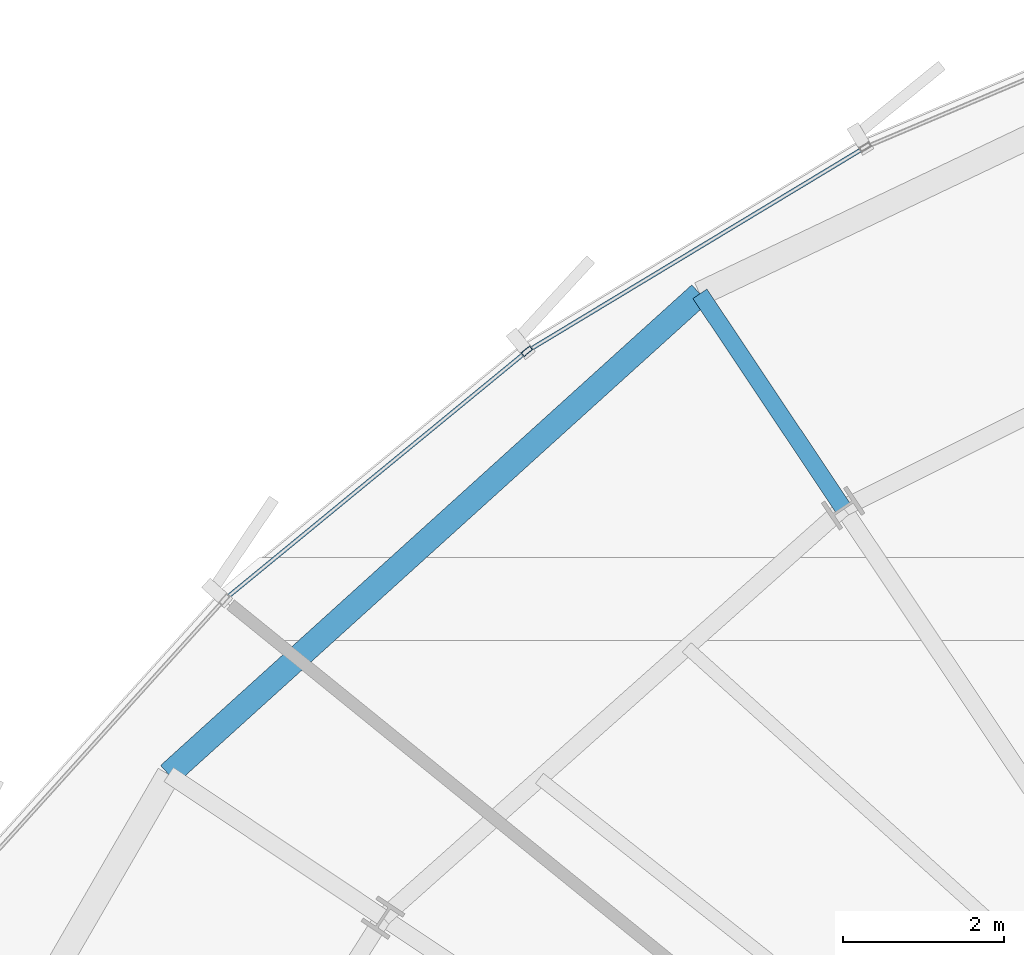
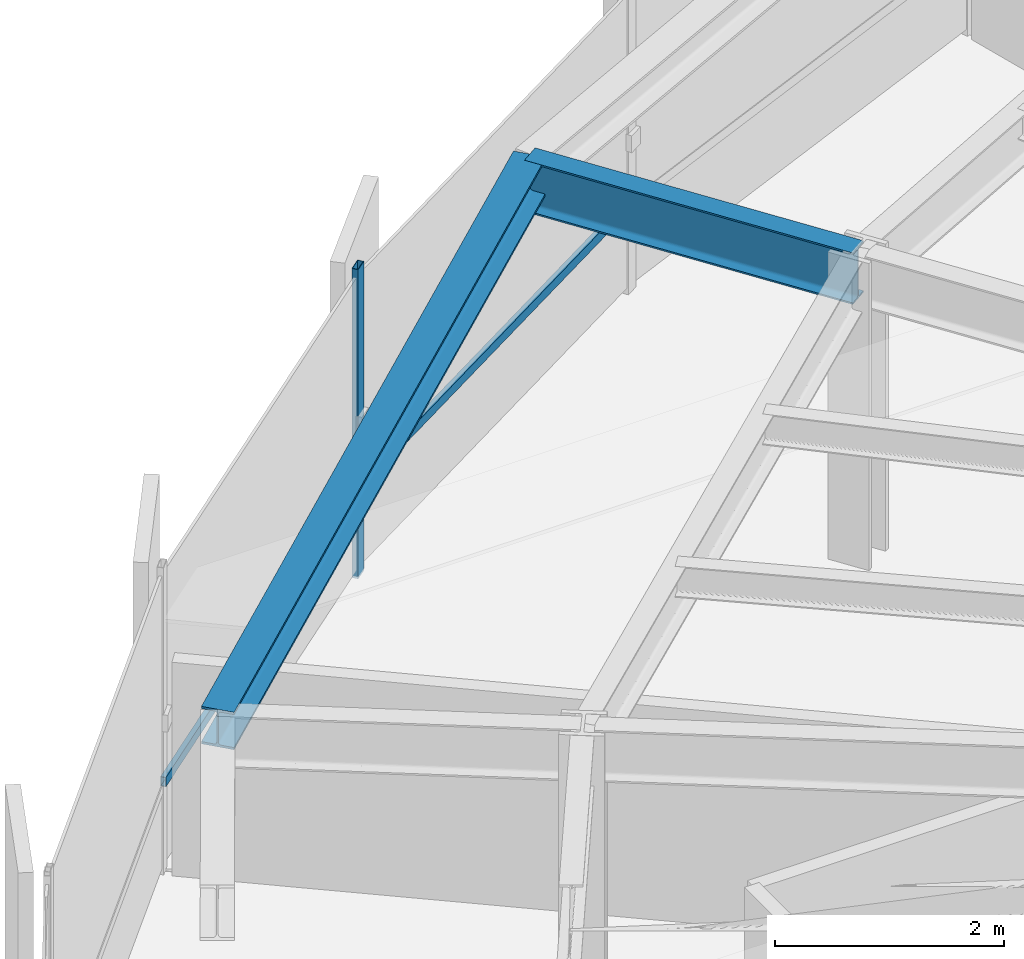
# One storey, part 19 of 36: 3 members, 2 beams, 1 element without a shape of its own.
"""IFC4 building model written with IfcOpenShell, lengths in metres."""

from ifc_helpers import new_model, si_unit, direction, frame, origin, origin_2d, place, context, subcontext, project, spatial, hollow_rectangle, i_section, extrude, source, transform, mapped, material, layer, layer_set, material_profile, profile_set, type_object, element, aggregate, save


model = new_model("IFC4")

# Units and contexts
model_context = context("Model", 3, precision=1e-05, world=origin(), true_north=direction((0.0, 1.0)))
body_context = subcontext(model_context, "Body", "Model", "MODEL_VIEW")
ifc_project = project(units=[si_unit("LENGTHUNIT", "METRE"), si_unit("AREAUNIT", "SQUARE_METRE"), si_unit("VOLUMEUNIT", "CUBIC_METRE"), si_unit("PLANEANGLEUNIT", "RADIAN"), si_unit("MASSUNIT", "GRAM", prefix="KILO"), si_unit("THERMODYNAMICTEMPERATUREUNIT", "KELVIN")], contexts=[model_context])

# Site, building, storey
site_placement = place(None, origin())
site = spatial("IfcSite", under=ifc_project, at=site_placement, CompositionType="ELEMENT")
building_placement = place(site_placement, origin())
building = spatial("IfcBuilding", under=site, at=building_placement, Name="Kethvar Cultural Tower", CompositionType="ELEMENT")
storey_placement = place(building_placement, frame((0.0, 0.0, 143.0)))
storey = spatial("IfcBuildingStorey", under=building, at=storey_placement, Name="L36", CompositionType="ELEMENT", Elevation=143.0)

# Beams
ifc_material_1 = material(Name="Steel S355J2", Category="steel")
ifc_material_profile_1 = material_profile(ifc_material_1, i_section(OverallWidth=0.2099609375, OverallDepth=0.550048828125, WebThickness=0.010986328125, FlangeThickness=0.01708984375, FilletRadius=0.02392578125, at=origin_2d()), Name="Steel S355J2 — IPE550")
ifc_profile_set_1 = profile_set([ifc_material_profile_1], Name="Steel S355J2 — IPE550")
beam_type_1 = type_object("IfcBeamType", Name="BM-IPE550", PredefinedType="BEAM", material=ifc_profile_set_1)
shared_shape_1 = source(origin(), body_context, "Body", "SweptSolid", [
    extrude(i_section(OverallWidth=0.2099609375, OverallDepth=0.550048828125, WebThickness=0.010986328125, FlangeThickness=0.01708984375, FilletRadius=0.02392578125, at=origin_2d()), origin(), (0.0, 0.0, 1.0), 3.2001953125),
])
beam_1_placement = place(storey_placement, frame((36.0576171875, 43.877197265625, 3.02294921875), z_axis=(-0.555544970406, 0.831486491686, 0.0), x_axis=(-0.831486491686, -0.555544970406, 0.0)))
element("IfcBeam", 1, at=beam_1_placement, inside=storey, type_object=beam_type_1, Name="L36 Perimeter Cantilever Beam RC-06", PredefinedType="BEAM", context=body_context, shape_type="MappedRepresentation", body=[
    mapped(shared_shape_1, transform((0.0, 0.0, 0.0), scale=1.0)),
])
ifc_material_profile_2 = material_profile(ifc_material_1, i_section(OverallWidth=0.300048828125, OverallDepth=0.39990234375, WebThickness=0.013427734375, FlangeThickness=0.02392578125, FilletRadius=0.027099609375, at=origin_2d()), Name="Steel S355J2 — HEB400")
ifc_profile_set_2 = profile_set([ifc_material_profile_2], Name="Steel S355J2 — HEB400")
beam_type_2 = type_object("IfcBeamType", Name="BM-SP400", PredefinedType="SPANDREL", material=ifc_profile_set_2)
shared_shape_2 = source(origin(), body_context, "Body", "SweptSolid", [
    extrude(i_section(OverallWidth=0.300048828125, OverallDepth=0.39990234375, WebThickness=0.013427734375, FlangeThickness=0.02392578125, FilletRadius=0.027099609375, at=origin_2d()), origin(), (0.0, 0.0, 1.0), 8.892822265625),
])
beam_2_placement = place(storey_placement, frame((34.27978515625, 46.5380859375, 3.097900390625), z_axis=(-0.741556591679, -0.670890319901, 0.0), x_axis=(0.670890319901, -0.741556591679, 0.0)))
element("IfcBeam", 2, at=beam_2_placement, inside=storey, type_object=beam_type_2, Name="L36 Perimeter Spandrel Beam SP-06", PredefinedType="SPANDREL", context=body_context, shape_type="MappedRepresentation", body=[
    mapped(shared_shape_2, transform((0.0, 0.0, 0.0), scale=1.0)),
])

# Curtain wall, members
ifc_material_2 = material(Name="Aluminium 6063-T6", Category="aluminium")
ifc_layer = layer(ifc_material_2, 0.179931640625, Name="Aluminium 6063-T6", Category="aluminium")
ifc_layer_set = layer_set([ifc_layer], Name="Aluminium 6063-T6 (180 mm)")
curtain_wall_type = type_object("IfcCurtainWallType", Name="CW-SYS-04-Z34", PredefinedType="NOTDEFINED", material=ifc_layer_set)
curtain_wall_placement = place(storey_placement, origin())
curtain_wall = element("IfcCurtainWall", 3, at=curtain_wall_placement, inside=storey, type_object=curtain_wall_type, Name="L36 Curtain Wall Run 02", PredefinedType="NOTDEFINED")
ifc_material_profile_3 = material_profile(ifc_material_2, hollow_rectangle(XDim=0.06005859375, YDim=0.139892578125, WallThickness=0.0048828125, at=origin_2d()), Name="Aluminium 6063-T6 — RHS140x60x5")
ifc_profile_set_3 = profile_set([ifc_material_profile_3], Name="Aluminium 6063-T6 — RHS140x60x5")
member_type_1 = type_object("IfcMemberType", Name="CW-SYS-04-Z34-MUL", PredefinedType="MULLION", material=ifc_profile_set_3)
shared_shape_3 = source(origin(), body_context, "Body", "SweptSolid", [
    extrude(hollow_rectangle(XDim=0.06005859375, YDim=0.139892578125, WallThickness=0.0048828125, at=origin_2d()), origin(), (0.0, 0.0, 1.0), 3.300048828125),
])
member_1_placement = place(storey_placement, frame((32.1318359375, 45.824951171875, 0.0), z_axis=(0.0, 0.0, 1.0), x_axis=(0.634582147309, -0.772855418766, 0.0)))
member_1 = element("IfcMember", 4, at=member_1_placement, type_object=member_type_1, Name="CW-L36-R02 Mullion 5", PredefinedType="MULLION", context=body_context, shape_type="MappedRepresentation", body=[
    mapped(shared_shape_3, transform((0.0, 0.0, 0.0), scale=1.0)),
])
ifc_material_profile_4 = material_profile(ifc_material_2, hollow_rectangle(XDim=0.050048828125, YDim=0.10009765625, WallThickness=0.00390625, at=origin_2d()), Name="Aluminium 6063-T6 — RHS100x50x4")
ifc_profile_set_4 = profile_set([ifc_material_profile_4], Name="Aluminium 6063-T6 — RHS100x50x4")
member_type_2 = type_object("IfcMemberType", Name="CW-SYS-04-Z34-TRN", PredefinedType="USERDEFINED", material=ifc_profile_set_4)
shared_shape_4 = source(origin(), body_context, "Body", "SweptSolid", [
    extrude(hollow_rectangle(XDim=0.050048828125, YDim=0.10009765625, WallThickness=0.00390625, at=origin_2d()), origin(), (0.0, 0.0, 1.0), 4.8359375),
])
member_2_placement = place(storey_placement, frame((36.296630859375, 48.336181640625, 0.949951171875), z_axis=(-0.856256575069, -0.516550750316, 0.0), x_axis=(0.516550750316, -0.856256575069, 0.0)))
member_2 = element("IfcMember", 5, at=member_2_placement, type_object=member_type_2, Name="CW-L36-R02 Transom 4", ObjectType="TRANSOM", PredefinedType="USERDEFINED", context=body_context, shape_type="MappedRepresentation", body=[
    mapped(shared_shape_4, transform((0.0, 0.0, 0.0), scale=1.0)),
])
shared_shape_5 = source(origin(), body_context, "Body", "SweptSolid", [
    extrude(hollow_rectangle(XDim=0.050048828125, YDim=0.10009765625, WallThickness=0.00390625, at=origin_2d()), origin(), (0.0, 0.0, 1.0), 4.787841796875),
])
member_3_placement = place(storey_placement, frame((32.098388671875, 45.797607421875, 0.949951171875), z_axis=(-0.772840576779, -0.634600222883, 0.0), x_axis=(0.634600222883, -0.772840576779, 0.0)))
member_3 = element("IfcMember", 6, at=member_3_placement, type_object=member_type_2, Name="CW-L36-R02 Transom 5", ObjectType="TRANSOM", PredefinedType="USERDEFINED", context=body_context, shape_type="MappedRepresentation", body=[
    mapped(shared_shape_5, transform((0.0, 0.0, 0.0), scale=1.0)),
])
aggregate(curtain_wall, [member_1, member_2, member_3])

save(model, "model.ifc")
